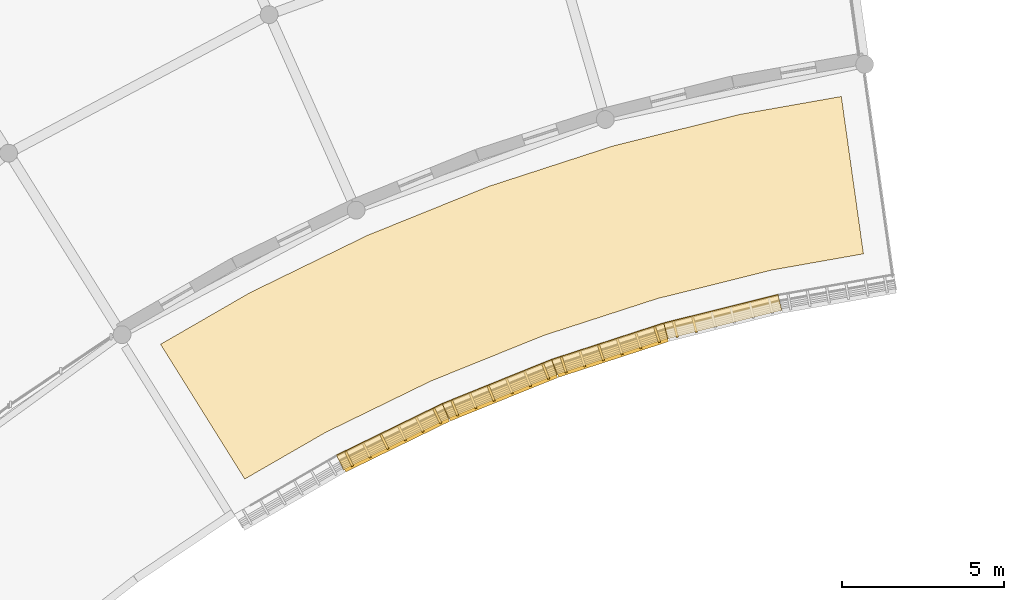
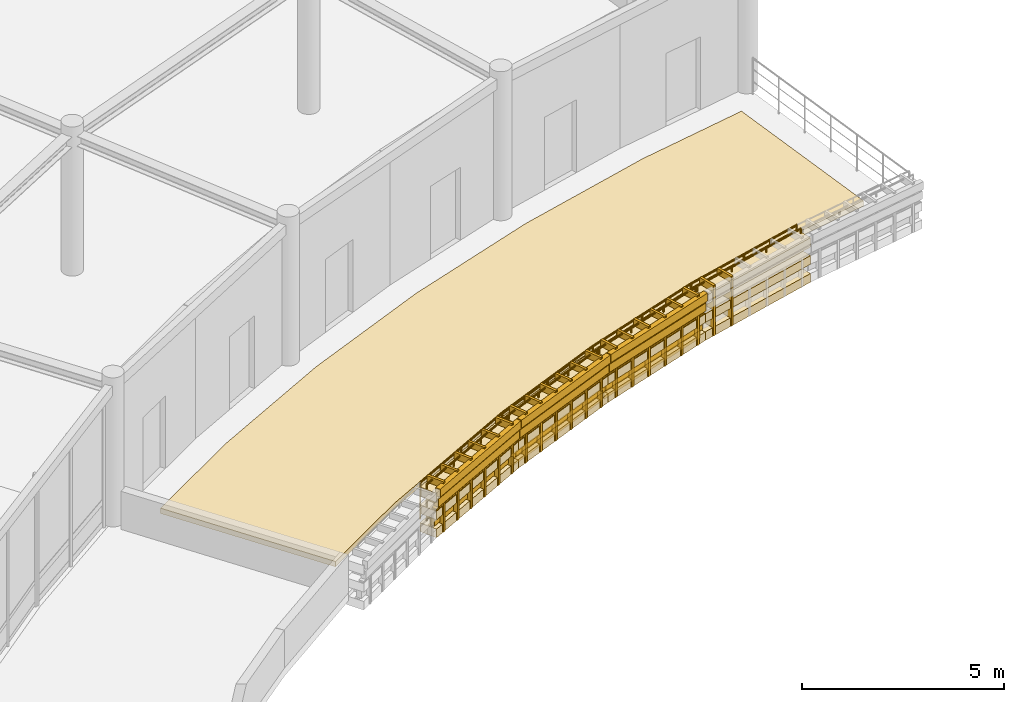
# One storey, part 60 of 62: 35 shading devices, 23 coverings, 8 railings.
"""IFC4 building model written with IfcOpenShell, lengths in metres."""

from ifc_helpers import new_model, si_unit, direction, frame, frame_2d, origin, origin_2d, place, context, subcontext, project, spatial, polyline, rectangle, circle, outline, extrude, material, layer, layer_set, type_object, element, save


model = new_model("IFC4")

# Units and contexts
model_context = context("Model", 3, precision=1e-05, world=origin(), true_north=direction((0.0, 1.0)))
body_context = subcontext(model_context, "Body", "Model", "MODEL_VIEW")
ifc_project = project(units=[si_unit("LENGTHUNIT", "METRE"), si_unit("AREAUNIT", "SQUARE_METRE"), si_unit("VOLUMEUNIT", "CUBIC_METRE"), si_unit("PLANEANGLEUNIT", "RADIAN"), si_unit("MASSUNIT", "GRAM", prefix="KILO")], contexts=[model_context])

# Site, building, storey
site_placement = place(None, origin())
site = spatial("IfcSite", under=ifc_project, at=site_placement, CompositionType="ELEMENT")
building_placement = place(site_placement, origin())
building = spatial("IfcBuilding", under=site, at=building_placement, Name="Clarverna Civic Hall", CompositionType="ELEMENT")
storey_placement = place(building_placement, frame((0.0, 0.0, 5.10009765625)))
storey = spatial("IfcBuildingStorey", under=building, at=storey_placement, Name="L01", CompositionType="ELEMENT", Elevation=5.10009765625)

# Coverings
ifc_material_1 = material(Name="Thermally Modified Teak Wood Slat Fascia Cladding", Category="wood")
ifc_layer_1 = layer(ifc_material_1, 0.080078125)
ifc_layer_set_1 = layer_set([ifc_layer_1], Name="Thermally Modified Teak Wood Slat Fascia Cladding")
covering_type_1 = type_object("IfcCoveringType", Name="CV-CL1", PredefinedType="CLADDING", material=ifc_layer_set_1)
for number, where, z_axis, x_axis, name in (
    (1, (141.232177734375, 58.68896484375, -0.380126953125), (0.0, 0.0, 1.0), (-0.970288722358, -0.241949985048, 0.0), "CV-CL1-063"),
    (2, (141.232177734375, 58.68896484375, 0.159912109375), (0.0, 0.0, 1.0), (-0.970288722358, -0.241949985048, 0.0), "CV-CL1-064"),
):
    element("IfcCovering", number, at=place(storey_placement, frame(where, z_axis=z_axis, x_axis=x_axis)), inside=storey, type_object=covering_type_1, Name=name, PredefinedType="CLADDING", context=body_context, shape_type="SweptSolid", body=[
        extrude(rectangle(XDim=3.629638671875, YDim=0.5, at=frame_2d((1.81494140625, 0.0))), origin(), (0.0, 0.0, 1.0), 0.260009765625),
    ])
covering_1_placement = place(storey_placement, frame((141.232177734375, 58.68896484375, 0.679931640625), z_axis=(0.0, 0.0, 1.0), x_axis=(-0.970288722358, -0.241949985048, 0.0)))
element("IfcCovering", 3, at=covering_1_placement, inside=storey, type_object=covering_type_1, Name="CV-CL1-065", PredefinedType="CLADDING", context=body_context, shape_type="SweptSolid", body=[
    extrude(rectangle(XDim=3.629638671875, YDim=0.5, at=frame_2d((1.81494140625, 0.0))), origin(), (0.0, 0.0, 1.0), 0.280029296875),
])
covering_2_placement = place(storey_placement, frame((137.95068359375, 58.09765625, -0.360107421875), z_axis=(0.0, 0.0, 1.0), x_axis=(0.242190935722, -0.970228607419, 0.0)))
element("IfcCovering", 4, at=covering_2_placement, inside=storey, type_object=covering_type_1, Name="CV-CL1-068", PredefinedType="CLADDING", context=body_context, shape_type="SweptSolid", body=[
    extrude(rectangle(XDim=0.5, YDim=0.070068359375, at=frame_2d((0.25, 0.0))), origin(), (0.0, 0.0, 1.0), 1.52001953125),
])
for number, where, z_axis, x_axis, name in (
    (5, (137.722412109375, 57.814453125, -0.380126953125), (0.0, 0.0, 1.0), (-0.951057298834, -0.309014585957, 0.0), "CV-CL1-069"),
    (6, (137.722412109375, 57.814453125, 0.159912109375), (0.0, 0.0, 1.0), (-0.951057298834, -0.309014585957, 0.0), "CV-CL1-070"),
):
    element("IfcCovering", number, at=place(storey_placement, frame(where, z_axis=z_axis, x_axis=x_axis)), inside=storey, type_object=covering_type_1, Name=name, PredefinedType="CLADDING", context=body_context, shape_type="SweptSolid", body=[
        extrude(rectangle(XDim=3.629638671875, YDim=0.5, at=frame_2d((1.81494140625, 0.0))), origin(), (0.0, 0.0, 1.0), 0.260009765625),
    ])
covering_3_placement = place(storey_placement, frame((137.722412109375, 57.814453125, 0.679931640625), z_axis=(0.0, 0.0, 1.0), x_axis=(-0.951057298834, -0.309014585957, 0.0)))
element("IfcCovering", 7, at=covering_3_placement, inside=storey, type_object=covering_type_1, Name="CV-CL1-071", PredefinedType="CLADDING", context=body_context, shape_type="SweptSolid", body=[
    extrude(rectangle(XDim=3.629638671875, YDim=0.5, at=frame_2d((1.81494140625, 0.0))), origin(), (0.0, 0.0, 1.0), 0.280029296875),
])
for number, where, z_axis, x_axis, name in (
    (8, (137.366943359375, 57.93017578125, -0.360107421875), (0.0, 0.0, 1.0), (0.309041914367, -0.951048418938, 0.0), "CV-CL1-072"),
    (9, (135.640869140625, 57.369384765625, -0.360107421875), (0.0, 0.0, 1.0), (0.309041914367, -0.951048418938, 0.0), "CV-CL1-073"),
    (10, (134.490234375, 56.99560546875, -0.360107421875), (0.0, 0.0, 1.0), (0.309041914367, -0.951048418938, 0.0), "CV-CL1-074"),
):
    element("IfcCovering", number, at=place(storey_placement, frame(where, z_axis=z_axis, x_axis=x_axis)), inside=storey, type_object=covering_type_1, Name=name, PredefinedType="CLADDING", context=body_context, shape_type="SweptSolid", body=[
        extrude(rectangle(XDim=0.5, YDim=0.070068359375, at=frame_2d((0.25, 0.0))), origin(), (0.0, 0.0, 1.0), 1.52001953125),
    ])
for number, where, z_axis, x_axis, name in (
    (11, (134.282470703125, 56.697021484375, -0.380126953125), (0.0, 0.0, 1.0), (-0.927195570584, -0.374577593949, 0.0), "CV-CL1-075"),
    (12, (134.282470703125, 56.697021484375, 0.159912109375), (0.0, 0.0, 1.0), (-0.927195570584, -0.374577593949, 0.0), "CV-CL1-076"),
):
    element("IfcCovering", number, at=place(storey_placement, frame(where, z_axis=z_axis, x_axis=x_axis)), inside=storey, type_object=covering_type_1, Name=name, PredefinedType="CLADDING", context=body_context, shape_type="SweptSolid", body=[
        extrude(rectangle(XDim=3.629638671875, YDim=0.5, at=frame_2d((1.81494140625, 0.0))), origin(), (0.0, 0.0, 1.0), 0.260009765625),
    ])
covering_4_placement = place(storey_placement, frame((134.282470703125, 56.697021484375, 0.679931640625), z_axis=(0.0, 0.0, 1.0), x_axis=(-0.927195570584, -0.374577593949, 0.0)))
element("IfcCovering", 13, at=covering_4_placement, inside=storey, type_object=covering_type_1, Name="CV-CL1-077", PredefinedType="CLADDING", context=body_context, shape_type="SweptSolid", body=[
    extrude(rectangle(XDim=3.629638671875, YDim=0.5, at=frame_2d((1.81494140625, 0.0))), origin(), (0.0, 0.0, 1.0), 0.280029296875),
])
for number, where, z_axis, x_axis, name in (
    (14, (133.919677734375, 56.787841796875, -0.360107421875), (0.0, 0.0, 1.0), (0.374503415005, -0.927225534673, 0.0), "CV-CL1-078"),
    (15, (132.23681640625, 56.10791015625, -0.360107421875), (0.0, 0.0, 1.0), (0.374923088972, -0.927055919217, 0.0), "CV-CL1-079"),
    (16, (131.115234375, 55.65478515625, -0.360107421875), (0.0, 0.0, 1.0), (0.374503415005, -0.927225534673, 0.0), "CV-CL1-080"),
):
    element("IfcCovering", number, at=place(storey_placement, frame(where, z_axis=z_axis, x_axis=x_axis)), inside=storey, type_object=covering_type_1, Name=name, PredefinedType="CLADDING", context=body_context, shape_type="SweptSolid", body=[
        extrude(rectangle(XDim=0.5, YDim=0.070068359375, at=frame_2d((0.25, 0.0))), origin(), (0.0, 0.0, 1.0), 1.52001953125),
    ])
for number, where, z_axis, x_axis, name in (
    (17, (130.9287109375, 55.342529296875, -0.380126953125), (0.0, 0.0, 1.0), (-0.898796242004, -0.438366644899, 0.0), "CV-CL1-081"),
    (18, (130.9287109375, 55.342529296875, 0.159912109375), (0.0, 0.0, 1.0), (-0.898796242004, -0.438366644899, 0.0), "CV-CL1-082"),
):
    element("IfcCovering", number, at=place(storey_placement, frame(where, z_axis=z_axis, x_axis=x_axis)), inside=storey, type_object=covering_type_1, Name=name, PredefinedType="CLADDING", context=body_context, shape_type="SweptSolid", body=[
        extrude(rectangle(XDim=3.629638671875, YDim=0.5, at=frame_2d((1.81494140625, 0.0))), origin(), (0.0, 0.0, 1.0), 0.260009765625),
    ])
covering_5_placement = place(storey_placement, frame((130.9287109375, 55.342529296875, 0.679931640625), z_axis=(0.0, 0.0, 1.0), x_axis=(-0.898796242004, -0.438366644899, 0.0)))
element("IfcCovering", 19, at=covering_5_placement, inside=storey, type_object=covering_type_1, Name="CV-CL1-083", PredefinedType="CLADDING", context=body_context, shape_type="SweptSolid", body=[
    extrude(rectangle(XDim=3.629638671875, YDim=0.5, at=frame_2d((1.81494140625, 0.0))), origin(), (0.0, 0.0, 1.0), 0.280029296875),
])
covering_6_placement = place(storey_placement, frame((130.560302734375, 55.40771484375, -0.360107421875), z_axis=(0.0, 0.0, 1.0), x_axis=(0.438596834069, -0.898683936178, 0.0)))
element("IfcCovering", 20, at=covering_6_placement, inside=storey, type_object=covering_type_1, Name="CV-CL1-084", PredefinedType="CLADDING", context=body_context, shape_type="SweptSolid", body=[
    extrude(rectangle(XDim=0.499755859375, YDim=0.070068359375, at=frame_2d((0.25, 0.0))), origin(), (0.0, 0.0, 1.0), 1.52001953125),
])
for number, where, z_axis, x_axis, name in (
    (21, (128.92919921875, 54.6123046875, -0.360107421875), (0.0, 0.0, 1.0), (0.438404394789, -0.898777829405, 0.0), "CV-CL1-085"),
    (22, (127.841796875, 54.081787109375, -0.360107421875), (0.0, 0.0, 1.0), (0.438404394789, -0.898777829405, 0.0), "CV-CL1-086"),
):
    element("IfcCovering", number, at=place(storey_placement, frame(where, z_axis=z_axis, x_axis=x_axis)), inside=storey, type_object=covering_type_1, Name=name, PredefinedType="CLADDING", context=body_context, shape_type="SweptSolid", body=[
        extrude(rectangle(XDim=0.5, YDim=0.070068359375, at=frame_2d((0.25, 0.0))), origin(), (0.0, 0.0, 1.0), 1.52001953125),
    ])
ifc_material_2 = material(Name="Planted Civic Terrace Vegetated Substrate and Drainage Build-Up")
ifc_layer_2 = layer(ifc_material_2, 0.25)
ifc_layer_set_2 = layer_set([ifc_layer_2], Name="Planted Civic Terrace Vegetated Substrate and Drainage Build-Up")
covering_type_2 = type_object("IfcCoveringType", Name="CV-RF1", PredefinedType="ROOFING", material=ifc_layer_set_2)
covering_7_placement = place(storey_placement, frame((0.0, 0.0, -0.02001953125)))
element("IfcCovering", 23, at=covering_7_placement, inside=storey, type_object=covering_type_2, Name="CV-RF1-007", PredefinedType="ROOFING", context=body_context, shape_type="SweptSolid", body=[
    extrude(outline(polyline([(133.952392578125, 57.67236328125), (130.47705078125, 56.268310546875), (127.21484375, 54.67724609375), (124.72998046875, 53.2451171875), (122.134033203125, 57.399658203125), (124.88818359375, 58.98974609375), (128.510986328125, 60.7568359375), (132.24853515625, 62.266845703125), (136.08203125, 63.51220703125), (139.9931640625, 64.487548828125), (143.125244140625, 65.039794921875), (143.806884765625, 60.1884765625), (140.98291015625, 59.6884765625), (137.461181640625, 58.810302734375), (133.952392578125, 57.67236328125)])), origin(), (0.0, 0.0, 1.0), 0.159912109375),
])

# Railings
ifc_material_3 = material(Name="Anodised Bronze Architectural Balustrade")
railing_type_1 = type_object("IfcRailingType", Name="GR-01", PredefinedType="BALUSTRADE", material=ifc_material_3)
railing_1_placement = place(storey_placement, frame((134.1923828125, 56.919677734375, 0.0)))
element("IfcRailing", 24, at=railing_1_placement, inside=storey, type_object=railing_type_1, Name="GR-01-001", PredefinedType="BALUSTRADE", context=body_context, shape_type="SweptSolid", body=[
    extrude(circle(Radius=0.02392578125, at=origin_2d()), frame((0.0, 0.0, 1.09619140625), z_axis=(-0.927186132393, -0.37460095555, 0.0), x_axis=(0.37460095555, -0.927186132393, 0.0)), (0.0, 0.0, 1.0), 3.62939453125),
    extrude(circle(Radius=0.011962890625, at=origin_2d()), frame((0.0, 0.0, 0.39208984375), z_axis=(-0.927186132393, -0.37460095555, 0.0), x_axis=(0.37460095555, -0.927186132393, 0.0)), (0.0, 0.0, 1.0), 3.62939453125),
    extrude(circle(Radius=0.011962890625, at=origin_2d()), frame((0.0, 0.0, 0.76171875), z_axis=(-0.927186132393, -0.37460095555, 0.0), x_axis=(0.37460095555, -0.927186132393, 0.0)), (0.0, 0.0, 1.0), 3.62939453125),
    extrude(circle(Radius=0.02099609375, at=origin_2d()), origin(), (0.0, 0.0, 1.0), 1.072021484375),
    extrude(circle(Radius=0.02099609375, at=origin_2d()), frame((-0.84130859375, -0.33984375, 0.0)), (0.0, 0.0, 1.0), 1.072021484375),
    extrude(circle(Radius=0.02099609375, at=origin_2d()), frame((-1.6826171875, -0.6796875, 0.0)), (0.0, 0.0, 1.0), 1.072021484375),
    extrude(circle(Radius=0.02099609375, at=origin_2d()), frame((-2.52392578125, -1.019775390625, 0.0)), (0.0, 0.0, 1.0), 1.072021484375),
    extrude(circle(Radius=0.02099609375, at=origin_2d()), frame((-3.365234375, -1.359619140625, 0.0)), (0.0, 0.0, 1.0), 1.072021484375),
])
railing_2_placement = place(storey_placement, frame((130.823486328125, 55.558349609375, 0.0)))
element("IfcRailing", 25, at=railing_2_placement, inside=storey, type_object=railing_type_1, Name="GR-01-002", PredefinedType="BALUSTRADE", context=body_context, shape_type="SweptSolid", body=[
    extrude(circle(Radius=0.02392578125, at=origin_2d()), frame((0.0, 0.0, 1.09619140625), z_axis=(-0.898796242004, -0.438366644899, 0.0), x_axis=(0.438366644899, -0.898796242004, 0.0)), (0.0, 0.0, 1.0), 3.629638671875),
    extrude(circle(Radius=0.011962890625, at=origin_2d()), frame((0.0, 0.0, 0.39208984375), z_axis=(-0.898796242004, -0.438366644899, 0.0), x_axis=(0.438366644899, -0.898796242004, 0.0)), (0.0, 0.0, 1.0), 3.629638671875),
    extrude(circle(Radius=0.011962890625, at=origin_2d()), frame((0.0, 0.0, 0.76171875), z_axis=(-0.898796242004, -0.438366644899, 0.0), x_axis=(0.438366644899, -0.898796242004, 0.0)), (0.0, 0.0, 1.0), 3.629638671875),
    extrude(circle(Radius=0.02099609375, at=origin_2d()), origin(), (0.0, 0.0, 1.0), 1.072021484375),
    extrude(circle(Radius=0.02099609375, at=origin_2d()), frame((-0.8154296875, -0.397705078125, 0.0)), (0.0, 0.0, 1.0), 1.072021484375),
    extrude(circle(Radius=0.02099609375, at=origin_2d()), frame((-1.631103515625, -0.79541015625, 0.0)), (0.0, 0.0, 1.0), 1.072021484375),
    extrude(circle(Radius=0.02099609375, at=origin_2d()), frame((-2.44677734375, -1.193359375, 0.0)), (0.0, 0.0, 1.0), 1.072021484375),
    extrude(circle(Radius=0.02099609375, at=origin_2d()), frame((-3.26220703125, -1.591064453125, 0.0)), (0.0, 0.0, 1.0), 1.072021484375),
])
railing_3_placement = place(storey_placement, frame((141.174072265625, 58.921875, 0.0)))
element("IfcRailing", 26, at=railing_3_placement, inside=storey, type_object=railing_type_1, Name="GR-01-006", PredefinedType="BALUSTRADE", context=body_context, shape_type="SweptSolid", body=[
    extrude(circle(Radius=0.02392578125, at=origin_2d()), frame((0.0, 0.0, 1.09619140625), z_axis=(-0.970288722358, -0.241949985048, 0.0), x_axis=(0.241949985048, -0.970288722358, 0.0)), (0.0, 0.0, 1.0), 3.629638671875),
    extrude(circle(Radius=0.011962890625, at=origin_2d()), frame((0.0, 0.0, 0.39208984375), z_axis=(-0.970288722358, -0.241949985048, 0.0), x_axis=(0.241949985048, -0.970288722358, 0.0)), (0.0, 0.0, 1.0), 3.629638671875),
    extrude(circle(Radius=0.011962890625, at=origin_2d()), frame((0.0, 0.0, 0.76171875), z_axis=(-0.970288722358, -0.241949985048, 0.0), x_axis=(0.241949985048, -0.970288722358, 0.0)), (0.0, 0.0, 1.0), 3.629638671875),
    extrude(circle(Radius=0.02099609375, at=origin_2d()), origin(), (0.0, 0.0, 1.0), 1.072021484375),
    extrude(circle(Radius=0.02099609375, at=origin_2d()), frame((-0.88037109375, -0.219482421875, 0.0)), (0.0, 0.0, 1.0), 1.072021484375),
    extrude(circle(Radius=0.02099609375, at=origin_2d()), frame((-1.7607421875, -0.43896484375, 0.0)), (0.0, 0.0, 1.0), 1.072021484375),
    extrude(circle(Radius=0.02099609375, at=origin_2d()), frame((-2.641357421875, -0.65869140625, 0.0)), (0.0, 0.0, 1.0), 1.072021484375),
    extrude(circle(Radius=0.02099609375, at=origin_2d()), frame((-3.521728515625, -0.878173828125, 0.0)), (0.0, 0.0, 1.0), 1.072021484375),
])
railing_4_placement = place(storey_placement, frame((137.6484375, 58.042724609375, 0.0)))
element("IfcRailing", 27, at=railing_4_placement, inside=storey, type_object=railing_type_1, Name="GR-01-007", PredefinedType="BALUSTRADE", context=body_context, shape_type="SweptSolid", body=[
    extrude(circle(Radius=0.02392578125, at=origin_2d()), frame((0.0, 0.0, 1.09619140625), z_axis=(-0.951057298834, -0.309014585957, 0.0), x_axis=(0.309014585957, -0.951057298834, 0.0)), (0.0, 0.0, 1.0), 3.629638671875),
    extrude(circle(Radius=0.011962890625, at=origin_2d()), frame((0.0, 0.0, 0.39208984375), z_axis=(-0.951057298834, -0.309014585957, 0.0), x_axis=(0.309014585957, -0.951057298834, 0.0)), (0.0, 0.0, 1.0), 3.629638671875),
    extrude(circle(Radius=0.011962890625, at=origin_2d()), frame((0.0, 0.0, 0.76171875), z_axis=(-0.951057298834, -0.309014585957, 0.0), x_axis=(0.309014585957, -0.951057298834, 0.0)), (0.0, 0.0, 1.0), 3.629638671875),
    extrude(circle(Radius=0.02099609375, at=origin_2d()), origin(), (0.0, 0.0, 1.0), 1.072021484375),
    extrude(circle(Radius=0.02099609375, at=origin_2d()), frame((-0.863037109375, -0.2802734375, 0.0)), (0.0, 0.0, 1.0), 1.072021484375),
    extrude(circle(Radius=0.02099609375, at=origin_2d()), frame((-1.72607421875, -0.560791015625, 0.0)), (0.0, 0.0, 1.0), 1.072021484375),
    extrude(circle(Radius=0.02099609375, at=origin_2d()), frame((-2.5888671875, -0.84130859375, 0.0)), (0.0, 0.0, 1.0), 1.072021484375),
    extrude(circle(Radius=0.02099609375, at=origin_2d()), frame((-3.451904296875, -1.12158203125, 0.0)), (0.0, 0.0, 1.0), 1.072021484375),
])
ifc_material_4 = material(Name="Thermally Modified Teak Wood Slat Fascia Rail", Category="wood")
railing_type_2 = type_object("IfcRailingType", Name="GR-03", PredefinedType="BALUSTRADE", material=ifc_material_4)
railing_5_placement = place(storey_placement, frame((141.1884765625, 58.739990234375, 0.0)))
element("IfcRailing", 28, at=railing_5_placement, inside=storey, type_object=railing_type_2, Name="GR-03-002", PredefinedType="BALUSTRADE", context=body_context, shape_type="SweptSolid", body=[
    extrude(circle(Radius=0.02392578125, at=origin_2d()), frame((0.0, 0.0, 1.09619140625), z_axis=(-0.970295197219, -0.241924017522, 0.0), x_axis=(0.241924017522, -0.970295197219, 0.0)), (0.0, 0.0, 1.0), 3.5693359375),
    extrude(circle(Radius=0.011962890625, at=origin_2d()), frame((0.0, 0.0, 0.39208984375), z_axis=(-0.970295197219, -0.241924017522, 0.0), x_axis=(0.241924017522, -0.970295197219, 0.0)), (0.0, 0.0, 1.0), 3.5693359375),
    extrude(circle(Radius=0.011962890625, at=origin_2d()), frame((0.0, 0.0, 0.76171875), z_axis=(-0.970295197219, -0.241924017522, 0.0), x_axis=(0.241924017522, -0.970295197219, 0.0)), (0.0, 0.0, 1.0), 3.5693359375),
    extrude(circle(Radius=0.02099609375, at=origin_2d()), origin(), (0.0, 0.0, 1.0), 1.072021484375),
    extrude(circle(Radius=0.02099609375, at=origin_2d()), frame((-1.154541015625, -0.287841796875, 0.0)), (0.0, 0.0, 1.0), 1.072021484375),
    extrude(circle(Radius=0.02099609375, at=origin_2d()), frame((-2.308837890625, -0.57568359375, 0.0)), (0.0, 0.0, 1.0), 1.072021484375),
    extrude(circle(Radius=0.02099609375, at=origin_2d()), frame((-3.46337890625, -0.863525390625, 0.0)), (0.0, 0.0, 1.0), 1.072021484375),
])
railing_6_placement = place(storey_placement, frame((137.675537109375, 57.8623046875, 0.0)))
element("IfcRailing", 29, at=railing_6_placement, inside=storey, type_object=railing_type_2, Name="GR-03-003", PredefinedType="BALUSTRADE", context=body_context, shape_type="SweptSolid", body=[
    extrude(circle(Radius=0.02392578125, at=origin_2d()), frame((0.0, 0.0, 1.09619140625), z_axis=(-0.951043114936, -0.309058236473, 0.0), x_axis=(0.309058236473, -0.951043114936, 0.0)), (0.0, 0.0, 1.0), 3.56982421875),
    extrude(circle(Radius=0.011962890625, at=origin_2d()), frame((0.0, 0.0, 0.39208984375), z_axis=(-0.951043114936, -0.309058236473, 0.0), x_axis=(0.309058236473, -0.951043114936, 0.0)), (0.0, 0.0, 1.0), 3.56982421875),
    extrude(circle(Radius=0.011962890625, at=origin_2d()), frame((0.0, 0.0, 0.76171875), z_axis=(-0.951043114936, -0.309058236473, 0.0), x_axis=(0.309058236473, -0.951043114936, 0.0)), (0.0, 0.0, 1.0), 3.56982421875),
    extrude(circle(Radius=0.02099609375, at=origin_2d()), origin(), (0.0, 0.0, 1.0), 1.072021484375),
    extrude(circle(Radius=0.02099609375, at=origin_2d()), frame((-1.131591796875, -0.36767578125, 0.0)), (0.0, 0.0, 1.0), 1.072021484375),
    extrude(circle(Radius=0.02099609375, at=origin_2d()), frame((-2.263427734375, -0.735595703125, 0.0)), (0.0, 0.0, 1.0), 1.072021484375),
    extrude(circle(Radius=0.02099609375, at=origin_2d()), frame((-3.39501953125, -1.103271484375, 0.0)), (0.0, 0.0, 1.0), 1.072021484375),
])
railing_7_placement = place(storey_placement, frame((134.232177734375, 56.741455078125, 0.0)))
element("IfcRailing", 30, at=railing_7_placement, inside=storey, type_object=railing_type_2, Name="GR-03-004", PredefinedType="BALUSTRADE", context=body_context, shape_type="SweptSolid", body=[
    extrude(circle(Radius=0.02392578125, at=origin_2d()), frame((0.0, 0.0, 1.09619140625), z_axis=(-0.92718336798, -0.374607797759, 0.0), x_axis=(0.374607797759, -0.92718336798, 0.0)), (0.0, 0.0, 1.0), 3.569580078125),
    extrude(circle(Radius=0.011962890625, at=origin_2d()), frame((0.0, 0.0, 0.39208984375), z_axis=(-0.92718336798, -0.374607797759, 0.0), x_axis=(0.374607797759, -0.92718336798, 0.0)), (0.0, 0.0, 1.0), 3.569580078125),
    extrude(circle(Radius=0.011962890625, at=origin_2d()), frame((0.0, 0.0, 0.76171875), z_axis=(-0.92718336798, -0.374607797759, 0.0), x_axis=(0.374607797759, -0.92718336798, 0.0)), (0.0, 0.0, 1.0), 3.569580078125),
    extrude(circle(Radius=0.02099609375, at=origin_2d()), origin(), (0.0, 0.0, 1.0), 1.072021484375),
    extrude(circle(Radius=0.02099609375, at=origin_2d()), frame((-1.103271484375, -0.44580078125, 0.0)), (0.0, 0.0, 1.0), 1.072021484375),
    extrude(circle(Radius=0.02099609375, at=origin_2d()), frame((-2.206298828125, -0.891357421875, 0.0)), (0.0, 0.0, 1.0), 1.072021484375),
    extrude(circle(Radius=0.02099609375, at=origin_2d()), frame((-3.3095703125, -1.337158203125, 0.0)), (0.0, 0.0, 1.0), 1.072021484375),
])
railing_8_placement = place(storey_placement, frame((130.875244140625, 55.38330078125, 0.0)))
element("IfcRailing", 31, at=railing_8_placement, inside=storey, type_object=railing_type_2, Name="GR-03-005", PredefinedType="BALUSTRADE", context=body_context, shape_type="SweptSolid", body=[
    extrude(circle(Radius=0.02392578125, at=origin_2d()), frame((0.0, 0.0, 1.09619140625), z_axis=(-0.898801967623, -0.438354905296, 0.0), x_axis=(0.438354905296, -0.898801967623, 0.0)), (0.0, 0.0, 1.0), 3.569580078125),
    extrude(circle(Radius=0.011962890625, at=origin_2d()), frame((0.0, 0.0, 0.39208984375), z_axis=(-0.898801967623, -0.438354905296, 0.0), x_axis=(0.438354905296, -0.898801967623, 0.0)), (0.0, 0.0, 1.0), 3.569580078125),
    extrude(circle(Radius=0.011962890625, at=origin_2d()), frame((0.0, 0.0, 0.76171875), z_axis=(-0.898801967623, -0.438354905296, 0.0), x_axis=(0.438354905296, -0.898801967623, 0.0)), (0.0, 0.0, 1.0), 3.569580078125),
    extrude(circle(Radius=0.02099609375, at=origin_2d()), origin(), (0.0, 0.0, 1.0), 1.072021484375),
    extrude(circle(Radius=0.02099609375, at=origin_2d()), frame((-1.0693359375, -0.521484375, 0.0)), (0.0, 0.0, 1.0), 1.072021484375),
    extrude(circle(Radius=0.02099609375, at=origin_2d()), frame((-2.138916015625, -1.043212890625, 0.0)), (0.0, 0.0, 1.0), 1.072021484375),
    extrude(circle(Radius=0.02099609375, at=origin_2d()), frame((-3.208251953125, -1.564697265625, 0.0)), (0.0, 0.0, 1.0), 1.072021484375),
])

# Shading devices
ifc_material_5 = material(Name="Thermally Modified Teak Wood Slats", Category="wood")
ifc_layer_3 = layer(ifc_material_5, 0.06494140625)
ifc_layer_set_3 = layer_set([ifc_layer_3], Name="Thermally Modified Teak Wood Slats")
shading_device_type = type_object("IfcShadingDeviceType", Name="SD-WD1", PredefinedType="JALOUSIE", material=ifc_layer_set_3)
for number, where, z_axis, x_axis, name in (
    (32, (138.53759765625, 58.243896484375, -0.360107421875), (0.0, 0.0, 1.0), (0.242190935722, -0.970228607419, 0.0), "SD-WD1-021"),
    (33, (137.95068359375, 58.09765625, -0.360107421875), (0.0, 0.0, 1.0), (0.242190935722, -0.970228607419, 0.0), "SD-WD1-022"),
):
    element("IfcShadingDevice", number, at=place(storey_placement, frame(where, z_axis=z_axis, x_axis=x_axis)), inside=storey, type_object=shading_device_type, Name=name, PredefinedType="JALOUSIE", context=body_context, shape_type="SweptSolid", body=[
        extrude(rectangle(XDim=0.5, YDim=0.06494140625, at=frame_2d((0.25, 0.0))), origin(), (0.0, 0.0, 1.0), 1.5),
    ])
for number, where, z_axis, x_axis, name in (
    (34, (137.706298828125, 57.76708984375, -0.360107421875), (0.0, 0.0, 1.0), (-0.951056684666, -0.309016476183, 0.0), "SD-WD1-023"),
    (35, (137.724853515625, 57.7099609375, -0.080078125), (0.0, 0.0, 1.0), (-0.951056684666, -0.309016476183, 0.0), "SD-WD1-024"),
    (36, (137.743408203125, 57.653076171875, 0.219970703125), (0.0, 0.0, 1.0), (-0.951036581811, -0.309078339677, 0.0), "SD-WD1-025"),
    (37, (137.761962890625, 57.595947265625, 0.539794921875), (0.0, 0.0, 1.0), (-0.951056684666, -0.309016476183, 0.0), "SD-WD1-026"),
    (38, (137.77734375, 57.54833984375, 0.85986328125), (0.0, 0.0, 1.0), (-0.951056684666, -0.309016476183, 0.0), "SD-WD1-027"),
):
    element("IfcShadingDevice", number, at=place(storey_placement, frame(where, z_axis=z_axis, x_axis=x_axis)), inside=storey, type_object=shading_device_type, Name=name, PredefinedType="JALOUSIE", context=body_context, shape_type="SweptSolid", body=[
        extrude(rectangle(XDim=3.569580078125, YDim=0.139892578125, at=frame_2d((1.78466796875, 0.0))), origin(), (0.0, 0.0, 1.0), 0.239990234375),
    ])
for number, where, z_axis, x_axis, name in (
    (39, (137.366943359375, 57.93017578125, -0.360107421875), (0.0, 0.0, 1.0), (0.309041914367, -0.951048418938, 0.0), "SD-WD1-028"),
    (40, (136.79150390625, 57.7431640625, -0.360107421875), (0.0, 0.0, 1.0), (0.309041914367, -0.951048418938, 0.0), "SD-WD1-029"),
    (41, (136.21630859375, 57.556396484375, -0.360107421875), (0.0, 0.0, 1.0), (0.308600224758, -0.951191832008, 0.0), "SD-WD1-030"),
    (42, (135.640869140625, 57.369384765625, -0.360107421875), (0.0, 0.0, 1.0), (0.309041914367, -0.951048418938, 0.0), "SD-WD1-031"),
    (43, (135.065673828125, 57.182373046875, -0.360107421875), (0.0, 0.0, 1.0), (0.309041914367, -0.951048418938, 0.0), "SD-WD1-032"),
    (44, (134.490234375, 56.99560546875, -0.360107421875), (0.0, 0.0, 1.0), (0.309041914367, -0.951048418938, 0.0), "SD-WD1-033"),
):
    element("IfcShadingDevice", number, at=place(storey_placement, frame(where, z_axis=z_axis, x_axis=x_axis)), inside=storey, type_object=shading_device_type, Name=name, PredefinedType="JALOUSIE", context=body_context, shape_type="SweptSolid", body=[
        extrude(rectangle(XDim=0.5, YDim=0.06494140625, at=frame_2d((0.25, 0.0))), origin(), (0.0, 0.0, 1.0), 1.5),
    ])
shading_device_1_placement = place(storey_placement, frame((134.26953125, 56.648681640625, -0.360107421875), z_axis=(0.0, 0.0, 1.0), x_axis=(-0.927207122899, -0.374548997123, 0.0)))
element("IfcShadingDevice", 45, at=shading_device_1_placement, inside=storey, type_object=shading_device_type, Name="SD-WD1-034", PredefinedType="JALOUSIE", context=body_context, shape_type="SweptSolid", body=[
    extrude(rectangle(XDim=3.5693359375, YDim=0.139892578125, at=frame_2d((1.78466796875, 0.0))), origin(), (0.0, 0.0, 1.0), 0.239990234375),
])
shading_device_2_placement = place(storey_placement, frame((134.2919921875, 56.59326171875, -0.080078125), z_axis=(0.0, 0.0, 1.0), x_axis=(-0.92718336798, -0.374607797759, 0.0)))
element("IfcShadingDevice", 46, at=shading_device_2_placement, inside=storey, type_object=shading_device_type, Name="SD-WD1-035", PredefinedType="JALOUSIE", context=body_context, shape_type="SweptSolid", body=[
    extrude(rectangle(XDim=3.569580078125, YDim=0.139892578125, at=frame_2d((1.78466796875, 0.0))), origin(), (0.0, 0.0, 1.0), 0.239990234375),
])
shading_device_3_placement = place(storey_placement, frame((134.314697265625, 56.53759765625, 0.219970703125), z_axis=(0.0, 0.0, 1.0), x_axis=(-0.92719296522, -0.374584042968, 0.0)))
element("IfcShadingDevice", 47, at=shading_device_3_placement, inside=storey, type_object=shading_device_type, Name="SD-WD1-036", PredefinedType="JALOUSIE", context=body_context, shape_type="SweptSolid", body=[
    extrude(rectangle(XDim=3.56982421875, YDim=0.139892578125, at=frame_2d((1.784912109375, 0.0))), origin(), (0.0, 0.0, 1.0), 0.239990234375),
])
for number, where, z_axis, x_axis, name in (
    (48, (134.3369140625, 56.48193359375, 0.539794921875), (0.0, 0.0, 1.0), (-0.92718336798, -0.374607797759, 0.0), "SD-WD1-037"),
    (49, (134.355712890625, 56.435546875, 0.85986328125), (0.0, 0.0, 1.0), (-0.92718336798, -0.374607797759, 0.0), "SD-WD1-038"),
):
    element("IfcShadingDevice", number, at=place(storey_placement, frame(where, z_axis=z_axis, x_axis=x_axis)), inside=storey, type_object=shading_device_type, Name=name, PredefinedType="JALOUSIE", context=body_context, shape_type="SweptSolid", body=[
        extrude(rectangle(XDim=3.569580078125, YDim=0.139892578125, at=frame_2d((1.78466796875, 0.0))), origin(), (0.0, 0.0, 1.0), 0.239990234375),
    ])
for number, where, z_axis, x_axis, name in (
    (50, (133.919677734375, 56.787841796875, -0.360107421875), (0.0, 0.0, 1.0), (0.374503415005, -0.927225534673, 0.0), "SD-WD1-039"),
    (51, (133.358642578125, 56.561279296875, -0.360107421875), (0.0, 0.0, 1.0), (0.374503415005, -0.927225534673, 0.0), "SD-WD1-040"),
    (52, (132.7978515625, 56.334716796875, -0.360107421875), (0.0, 0.0, 1.0), (0.374503415005, -0.927225534673, 0.0), "SD-WD1-041"),
    (53, (132.23681640625, 56.10791015625, -0.360107421875), (0.0, 0.0, 1.0), (0.374923088972, -0.927055919217, 0.0), "SD-WD1-042"),
    (54, (131.676025390625, 55.88134765625, -0.360107421875), (0.0, 0.0, 1.0), (0.374503415005, -0.927225534673, 0.0), "SD-WD1-043"),
    (55, (131.115234375, 55.65478515625, -0.360107421875), (0.0, 0.0, 1.0), (0.374503415005, -0.927225534673, 0.0), "SD-WD1-044"),
):
    element("IfcShadingDevice", number, at=place(storey_placement, frame(where, z_axis=z_axis, x_axis=x_axis)), inside=storey, type_object=shading_device_type, Name=name, PredefinedType="JALOUSIE", context=body_context, shape_type="SweptSolid", body=[
        extrude(rectangle(XDim=0.5, YDim=0.06494140625, at=frame_2d((0.25, 0.0))), origin(), (0.0, 0.0, 1.0), 1.5),
    ])
for number, where, z_axis, x_axis, name in (
    (56, (130.919189453125, 55.29345703125, -0.360107421875), (0.0, 0.0, 1.0), (-0.898801967623, -0.438354905296, 0.0), "SD-WD1-045"),
    (57, (130.945556640625, 55.239501953125, -0.080078125), (0.0, 0.0, 1.0), (-0.898801967623, -0.438354905296, 0.0), "SD-WD1-046"),
    (58, (130.9716796875, 55.185791015625, 0.219970703125), (0.0, 0.0, 1.0), (-0.898775018798, -0.438410156799, 0.0), "SD-WD1-047"),
    (59, (130.998046875, 55.131591796875, 0.539794921875), (0.0, 0.0, 1.0), (-0.898801967623, -0.438354905296, 0.0), "SD-WD1-048"),
    (60, (131.02001953125, 55.0869140625, 0.85986328125), (0.0, 0.0, 1.0), (-0.898775018798, -0.438410156799, 0.0), "SD-WD1-049"),
):
    element("IfcShadingDevice", number, at=place(storey_placement, frame(where, z_axis=z_axis, x_axis=x_axis)), inside=storey, type_object=shading_device_type, Name=name, PredefinedType="JALOUSIE", context=body_context, shape_type="SweptSolid", body=[
        extrude(rectangle(XDim=3.569580078125, YDim=0.139892578125, at=frame_2d((1.78466796875, 0.0))), origin(), (0.0, 0.0, 1.0), 0.239990234375),
    ])
shading_device_4_placement = place(storey_placement, frame((130.560302734375, 55.40771484375, -0.360107421875), z_axis=(0.0, 0.0, 1.0), x_axis=(0.438596834069, -0.898683936178, 0.0)))
element("IfcShadingDevice", 61, at=shading_device_4_placement, inside=storey, type_object=shading_device_type, Name="SD-WD1-050", PredefinedType="JALOUSIE", context=body_context, shape_type="SweptSolid", body=[
    extrude(rectangle(XDim=0.499755859375, YDim=0.06494140625, at=frame_2d((0.25, 0.0))), origin(), (0.0, 0.0, 1.0), 1.5),
])
for number, where, z_axis, x_axis, name in (
    (62, (130.0166015625, 55.142578125, -0.360107421875), (0.0, 0.0, 1.0), (0.438404394789, -0.898777829405, 0.0), "SD-WD1-051"),
    (63, (129.472900390625, 54.87744140625, -0.360107421875), (0.0, 0.0, 1.0), (0.438404394789, -0.898777829405, 0.0), "SD-WD1-052"),
    (64, (128.92919921875, 54.6123046875, -0.360107421875), (0.0, 0.0, 1.0), (0.438404394789, -0.898777829405, 0.0), "SD-WD1-053"),
):
    element("IfcShadingDevice", number, at=place(storey_placement, frame(where, z_axis=z_axis, x_axis=x_axis)), inside=storey, type_object=shading_device_type, Name=name, PredefinedType="JALOUSIE", context=body_context, shape_type="SweptSolid", body=[
        extrude(rectangle(XDim=0.5, YDim=0.06494140625, at=frame_2d((0.25, 0.0))), origin(), (0.0, 0.0, 1.0), 1.5),
    ])
shading_device_5_placement = place(storey_placement, frame((128.385498046875, 54.346923828125, -0.360107421875), z_axis=(0.0, 0.0, 1.0), x_axis=(0.438596834069, -0.898683936178, 0.0)))
element("IfcShadingDevice", 65, at=shading_device_5_placement, inside=storey, type_object=shading_device_type, Name="SD-WD1-054", PredefinedType="JALOUSIE", context=body_context, shape_type="SweptSolid", body=[
    extrude(rectangle(XDim=0.499755859375, YDim=0.06494140625, at=frame_2d((0.25, 0.0))), origin(), (0.0, 0.0, 1.0), 1.5),
])
shading_device_6_placement = place(storey_placement, frame((127.841796875, 54.081787109375, -0.360107421875), z_axis=(0.0, 0.0, 1.0), x_axis=(0.438404394789, -0.898777829405, 0.0)))
element("IfcShadingDevice", 66, at=shading_device_6_placement, inside=storey, type_object=shading_device_type, Name="SD-WD1-055", PredefinedType="JALOUSIE", context=body_context, shape_type="SweptSolid", body=[
    extrude(rectangle(XDim=0.5, YDim=0.06494140625, at=frame_2d((0.25, 0.0))), origin(), (0.0, 0.0, 1.0), 1.5),
])

save(model, "model.ifc")
